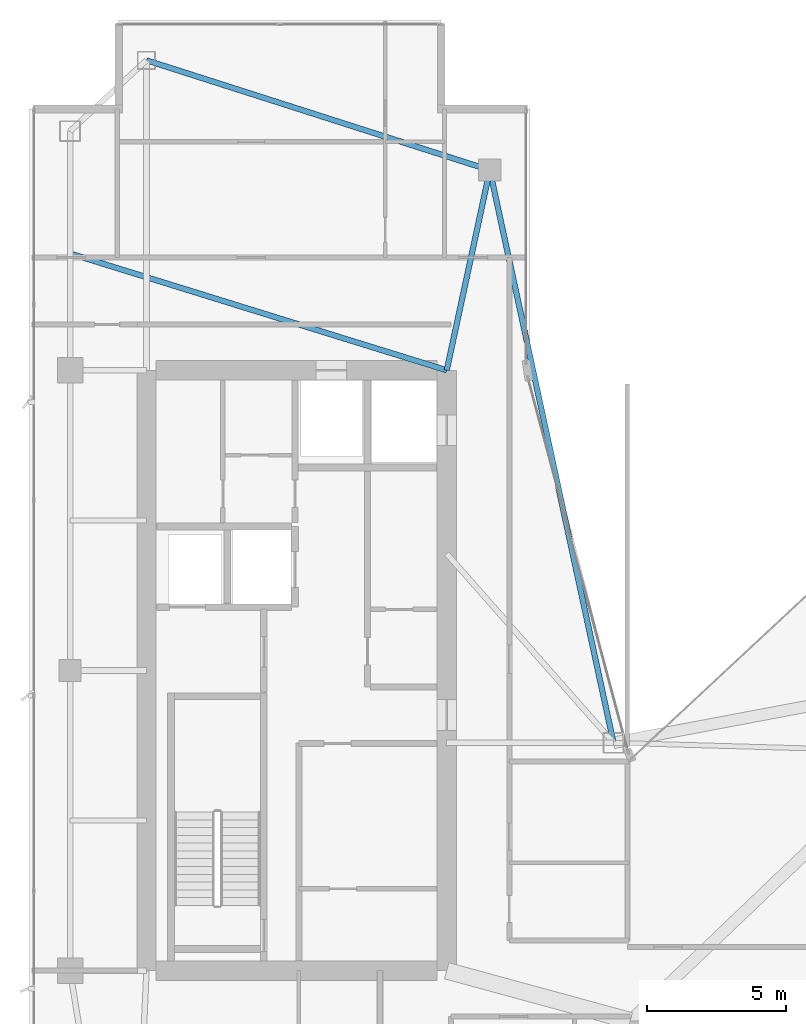
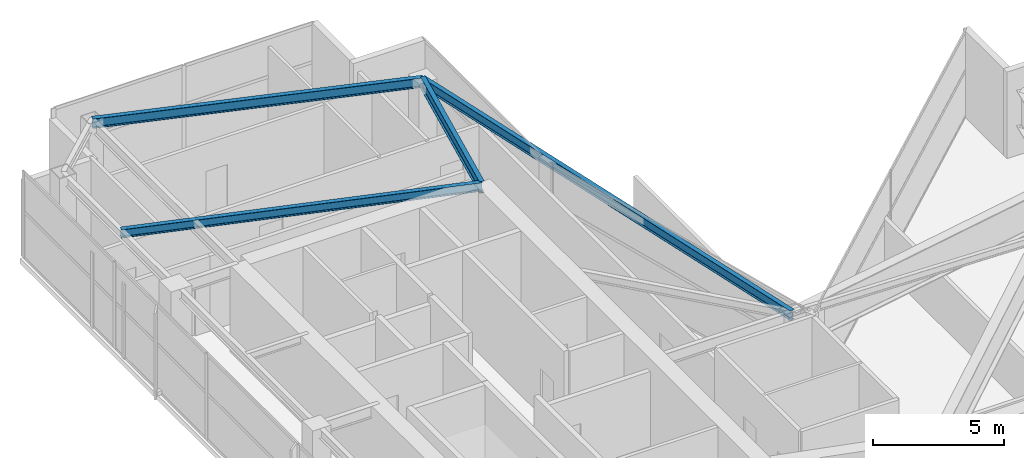
# One storey, part 17 of 27: 4 beams.
"""IFC4 building model written with IfcOpenShell, lengths in metres."""

import ifcopenshell
import ifcopenshell.guid

model = None  # the IFC model being written
_history = None  # IfcOwnerHistory: only IFC2X3 demands one
_inside = {}  # id of a spatial element -> (the spatial element, [elements in it])
_under = {}  # id of a project, library or spatial element -> (it, [spatial elements below it])
_declared = {}  # id of a project -> (the project, [libraries it declares])
_typed = {}  # id of a type object -> (the type object, [elements of that type])
_made_of = {}  # id of a material, layer set ... -> (it, [elements and type objects made of it])


def new_model(schema):
    """Start an empty IFC model of exactly this schema.

    Asked for "IFC4X3", IfcOpenShell would pick the latest addendum, in which some entities
    have other attributes; the version numbers below select the first issue.
    IFC2X3 requires an IfcOwnerHistory on every rooted entity: one is made here for all.
    """
    global model, _history
    if schema == "IFC4X3":
        model = ifcopenshell.file(schema_version=(4, 3, 0, 0))
    else:
        model = ifcopenshell.file(schema=schema)
    _inside.clear()
    _under.clear()
    _declared.clear()
    _typed.clear()
    _made_of.clear()
    _history = None
    if model.schema == "IFC2X3":
        org = make("IfcOrganization", Name="unknown")
        user = make(
            "IfcPersonAndOrganization",
            ThePerson=make("IfcPerson", FamilyName="unknown"),
            TheOrganization=org,
        )
        app = make(
            "IfcApplication",
            ApplicationDeveloper=org,
            Version="unknown",
            ApplicationFullName="unknown",
            ApplicationIdentifier="unknown",
        )
        _history = make(
            "IfcOwnerHistory",
            OwningUser=user,
            OwningApplication=app,
            ChangeAction="ADDED",
            CreationDate=0,
        )
    return model


def make(cls, **values):
    """One entity of the class cls with the attributes given. An attribute that is None is left unset."""
    return model.create_entity(
        cls, **{name: value for name, value in values.items() if value is not None}
    )


def rooted(cls, **values):
    """An entity with a GlobalId (a new one), such as an element, a storey or a relation."""
    return make(cls, GlobalId=ifcopenshell.guid.new(), OwnerHistory=_history, **values)


def si_unit(unit_type, name, prefix=None):
    """IfcSIUnit, for example si_unit("LENGTHUNIT", "METRE", prefix="MILLI")."""
    return make("IfcSIUnit", UnitType=unit_type, Prefix=prefix, Name=name)


def assignment(units):
    """IfcUnitAssignment: the units of a project."""
    return None if units is None else make("IfcUnitAssignment", Units=units)


def point(xyz):
    """IfcCartesianPoint."""
    return None if xyz is None else make("IfcCartesianPoint", Coordinates=xyz)


def direction(xyz):
    """IfcDirection."""
    return None if xyz is None else make("IfcDirection", DirectionRatios=xyz)


def frame(location, z_axis=None, x_axis=None):
    """IfcAxis2Placement3D, a coordinate frame: its origin and axes. An axis left out is left unset."""
    return make(
        "IfcAxis2Placement3D",
        Location=point(location),
        Axis=direction(z_axis),
        RefDirection=direction(x_axis),
    )


def frame_2d(location, x_axis=None):
    """IfcAxis2Placement2D, a coordinate frame in the plane: its origin and x axis."""
    return make(
        "IfcAxis2Placement2D", Location=point(location), RefDirection=direction(x_axis)
    )


def origin():
    """The frame at (0, 0, 0) with its axes left unset."""
    return frame((0.0, 0.0, 0.0))


def origin_2d():
    """The frame at (0, 0) in the plane with its x axis left unset."""
    return frame_2d((0.0, 0.0))


def place(relative_to, where):
    """IfcLocalPlacement: puts the frame where relative to a parent placement (None: the world)."""
    return make(
        "IfcLocalPlacement", PlacementRelTo=relative_to, RelativePlacement=where
    )


def context(
    kind, dimensions, precision=None, world=None, true_north=None, identifier=None
):
    """IfcGeometricRepresentationContext, for example the 3D "Model" context."""
    return make(
        "IfcGeometricRepresentationContext",
        ContextIdentifier=identifier,
        ContextType=kind,
        CoordinateSpaceDimension=dimensions,
        Precision=precision,
        WorldCoordinateSystem=world,
        TrueNorth=true_north,
    )


def subcontext(parent, identifier, kind, view, scale=None):
    """IfcGeometricRepresentationSubContext, for example "Body" below "Model"."""
    return make(
        "IfcGeometricRepresentationSubContext",
        ContextIdentifier=identifier,
        ContextType=kind,
        ParentContext=parent,
        TargetScale=scale,
        TargetView=view,
    )


def project(units=None, contexts=None):
    """IfcProject with its units and contexts."""
    return rooted(
        "IfcProject",
        Name="project",
        RepresentationContexts=contexts,
        UnitsInContext=assignment(units),
    )


def spatial(cls, under=None, at=None, **own):
    """A site, building, storey or space (cls), placed at a placement, below another one or the project."""
    s = rooted(cls, ObjectPlacement=at, **own)
    if under is not None:
        _under.setdefault(under.id(), (under, []))[1].append(s)
    return s


def profile(cls, at=None, kind="AREA", **sizes):
    """A parametric profile (cls). Its sizes go by their IFC names, for example OverallWidth=200.0."""
    return make(cls, ProfileType=kind, Position=at, **sizes)


def i_section(**sizes):
    """IfcIShapeProfileDef."""
    return profile("IfcIShapeProfileDef", **sizes)


def extrude(swept, where, along, depth):
    """IfcExtrudedAreaSolid: the profile swept, set in the frame where, extruded along a direction by depth."""
    return make(
        "IfcExtrudedAreaSolid",
        SweptArea=swept,
        Position=where,
        ExtrudedDirection=direction(along),
        Depth=depth,
    )


def shape(context_of_items, identifier, shape_type, items):
    """IfcShapeRepresentation: the items that make up one representation, for example the "Body"."""
    return make(
        "IfcShapeRepresentation",
        ContextOfItems=context_of_items,
        RepresentationIdentifier=identifier,
        RepresentationType=shape_type,
        Items=items,
    )


def material(Name=None, Category=None):
    """IfcMaterial."""
    return make("IfcMaterial", Name=Name, Category=Category)


def material_profile(
    of_material, cross_section, Name=None, Category=None, Priority=None
):
    """IfcMaterialProfile: a cross section and its material."""
    return make(
        "IfcMaterialProfile",
        Name=Name,
        Material=of_material,
        Profile=cross_section,
        Priority=Priority,
        Category=Category,
    )


def profile_set(profiles, Name=None, composite=None):
    """IfcMaterialProfileSet."""
    return make(
        "IfcMaterialProfileSet",
        Name=Name,
        MaterialProfiles=profiles,
        CompositeProfile=composite,
    )


def made_of(thing, what):
    """Note that an element or type object is made of a material, layer set ...; save() writes the relation."""
    if what is not None:
        _made_of.setdefault(what.id(), (what, []))[1].append(thing)
    return thing


def type_object(cls, material=None, **own):
    """A type object (cls), such as IfcWallType, which elements share."""
    return made_of(rooted(cls, **own), material)


def element(
    cls,
    number,
    at=None,
    inside=None,
    cuts=None,
    type_object=None,
    material=None,
    context=None,
    identifier="Body",
    shape_type=None,
    held_by="IfcProductDefinitionShape",
    body=None,
    shapes=None,
    **own,
):
    """One element of the class cls, such as IfcWall. Its Tag is "e" and its number.

    at: its placement. inside: the storey or other place that contains it. cuts: it is an
    opening in that element (IfcRelVoidsElement). A single representation is given by context,
    identifier, shape_type and body (its items); several are given by shapes. held_by: the class
    of the entity that holds the representations. save() writes the other relations.
    """
    e = rooted(cls, Tag="e%d" % number, ObjectPlacement=at, **own)
    if body is not None:
        shapes = [shape(context, identifier, shape_type, body)]
    if shapes is not None:
        e.Representation = make(held_by, Representations=shapes)
    if inside is not None:
        _inside.setdefault(inside.id(), (inside, []))[1].append(e)
    if cuts is not None:
        rooted(
            "IfcRelVoidsElement", RelatingBuildingElement=cuts, RelatedOpeningElement=e
        )
    if type_object is not None:
        _typed.setdefault(type_object.id(), (type_object, []))[1].append(e)
    return made_of(e, material)


def aggregate(whole, parts):
    """IfcRelAggregates: a whole, such as a stair, and the parts it consists of."""
    return rooted("IfcRelAggregates", RelatingObject=whole, RelatedObjects=parts)


def save(model, path):
    """Write the relations noted so far, then the file.

    IfcRelAggregates (storeys below a building ...), IfcRelContainedInSpatialStructure (elements
    in a storey), IfcRelDefinesByType, IfcRelAssociatesMaterial and IfcRelDeclares: one each for
    every whole, place, type object, material and project.
    """
    for whole, parts in _under.values():
        aggregate(whole, parts)
    for where, things in _inside.values():
        rooted(
            "IfcRelContainedInSpatialStructure",
            RelatedElements=things,
            RelatingStructure=where,
        )
    for kind, things in _typed.values():
        rooted("IfcRelDefinesByType", RelatedObjects=things, RelatingType=kind)
    for what, things in _made_of.values():
        rooted("IfcRelAssociatesMaterial", RelatedObjects=things, RelatingMaterial=what)
    for by, libraries in _declared.values():
        rooted("IfcRelDeclares", RelatingContext=by, RelatedDefinitions=libraries)
    model.write(path)


model = new_model("IFC4")

# Units and contexts
model_context = context("Model", 3, precision=1e-05, world=origin(), true_north=direction((0.0, 1.0)))
body_context = subcontext(model_context, "Body", "Model", "MODEL_VIEW")
ifc_project = project(units=[si_unit("LENGTHUNIT", "METRE"), si_unit("AREAUNIT", "SQUARE_METRE"), si_unit("VOLUMEUNIT", "CUBIC_METRE"), si_unit("PLANEANGLEUNIT", "RADIAN"), si_unit("MASSUNIT", "GRAM", prefix="KILO")], contexts=[model_context])

# Site, building, storey
site_placement = place(None, origin())
site = spatial("IfcSite", under=ifc_project, at=site_placement, CompositionType="ELEMENT")
building_placement = place(site_placement, origin())
building = spatial("IfcBuilding", under=site, at=building_placement, Name="Calvorn Quay Hotel", CompositionType="ELEMENT")
storey_placement = place(building_placement, frame((0.0, 0.0, 239.300048828125)))
storey = spatial("IfcBuildingStorey", under=building, at=storey_placement, Name="L59", CompositionType="ELEMENT", Elevation=239.300048828125)

# Beams
ifc_material_1 = material(Name="Steel Q355B", Category="steel")
ifc_material_profile_1 = material_profile(ifc_material_1, i_section(OverallWidth=0.199951171875, OverallDepth=0.550048828125, WebThickness=0.010009765625, FlangeThickness=0.01611328125, FilletRadius=0.01806640625, at=origin_2d()), Name="HN550x200x10x16")
ifc_profile_set_1 = profile_set([ifc_material_profile_1], Name="Steel Q355B")
beam_type_1 = type_object("IfcBeamType", Name="BM-GIRD-UPP", PredefinedType="BEAM", material=ifc_profile_set_1)
beam_1_placement = place(storey_placement, frame((16.550048828125, 45.60009765625, 3.77490234375), z_axis=(-0.210457140491, -0.97760308511, 0.0), x_axis=(0.97760308511, -0.210457140491, 0.0)))
element("IfcBeam", 1, at=beam_1_placement, inside=storey, type_object=beam_type_1, Name="Beam BG-L59-W6", PredefinedType="BEAM", context=body_context, shape_type="SweptSolid", body=[
    extrude(i_section(OverallWidth=0.199951171875, OverallDepth=0.550048828125, WebThickness=0.010009765625, FlangeThickness=0.01611328125, FilletRadius=0.01806640625, at=origin_2d()), origin(), (0.0, 0.0, 1.0), 7.365234375),
])
ifc_material_2 = material(Name="Steel Q355B", Category="steel")
ifc_material_profile_2 = material_profile(ifc_material_2, i_section(OverallWidth=0.199951171875, OverallDepth=0.39990234375, WebThickness=0.008056640625, FlangeThickness=0.012939453125, FilletRadius=0.01611328125, at=origin_2d()), Name="HN400x200x8x13")
ifc_profile_set_2 = profile_set([ifc_material_profile_2], Name="Steel Q355B")
beam_type_2 = type_object("IfcBeamType", Name="BM-JOIST-TYP", PredefinedType="JOIST", material=ifc_profile_set_2)
beam_2_placement = place(storey_placement, frame((1.449951171875, 42.60009765625, 3.849853515625), z_axis=(0.955163702122, -0.296078202759, 0.0), x_axis=(0.296078202759, 0.955163702122, 0.0)))
element("IfcBeam", 2, at=beam_2_placement, inside=storey, type_object=beam_type_2, Name="Beam BJ-L59-W2", PredefinedType="JOIST", context=body_context, shape_type="SweptSolid", body=[
    extrude(i_section(OverallWidth=0.199951171875, OverallDepth=0.39990234375, WebThickness=0.008056640625, FlangeThickness=0.012939453125, FilletRadius=0.01611328125, at=origin_2d()), origin(), (0.0, 0.0, 1.0), 14.18603515625),
])
ifc_material_3 = material(Name="Steel Q355B", Category="steel")
ifc_material_profile_3 = material_profile(ifc_material_3, i_section(OverallWidth=0.199951171875, OverallDepth=0.449951171875, WebThickness=0.009033203125, FlangeThickness=0.013916015625, FilletRadius=0.01611328125, at=origin_2d()), Name="HN450x200x9x14")
ifc_profile_set_3 = profile_set([ifc_material_profile_3], Name="Steel Q355B")
beam_type_3 = type_object("IfcBeamType", Name="BM-SPANDREL-Z3", PredefinedType="SPANDREL", material=ifc_profile_set_3)
beam_3_placement = place(storey_placement, frame((4.199951171875, 49.550048828125, 3.824951171875), z_axis=(0.952470702374, -0.304630203885, 0.0), x_axis=(0.304630203885, 0.952470702374, 0.0)))
element("IfcBeam", 3, at=beam_3_placement, inside=storey, type_object=beam_type_3, Name="Beam BSP-L59-W6", PredefinedType="SPANDREL", context=body_context, shape_type="SweptSolid", body=[
    extrude(i_section(OverallWidth=0.199951171875, OverallDepth=0.449951171875, WebThickness=0.009033203125, FlangeThickness=0.013916015625, FilletRadius=0.01611328125, at=origin_2d()), origin(), (0.0, 0.0, 1.0), 12.96630859375),
])
beam_4_placement = place(storey_placement, frame((16.550048828125, 45.60009765625, 3.824951171875), z_axis=(0.211145848376, -0.977454567084, 0.0), x_axis=(0.977454567084, 0.211145848376, 0.0)))
element("IfcBeam", 4, at=beam_4_placement, inside=storey, type_object=beam_type_3, Name="Beam BSP-L59-W7", PredefinedType="SPANDREL", context=body_context, shape_type="SweptSolid", body=[
    extrude(i_section(OverallWidth=0.199951171875, OverallDepth=0.449951171875, WebThickness=0.009033203125, FlangeThickness=0.013916015625, FilletRadius=0.01611328125, at=origin_2d()), origin(), (0.0, 0.0, 1.0), 21.0751953125),
])

save(model, "model.ifc")
